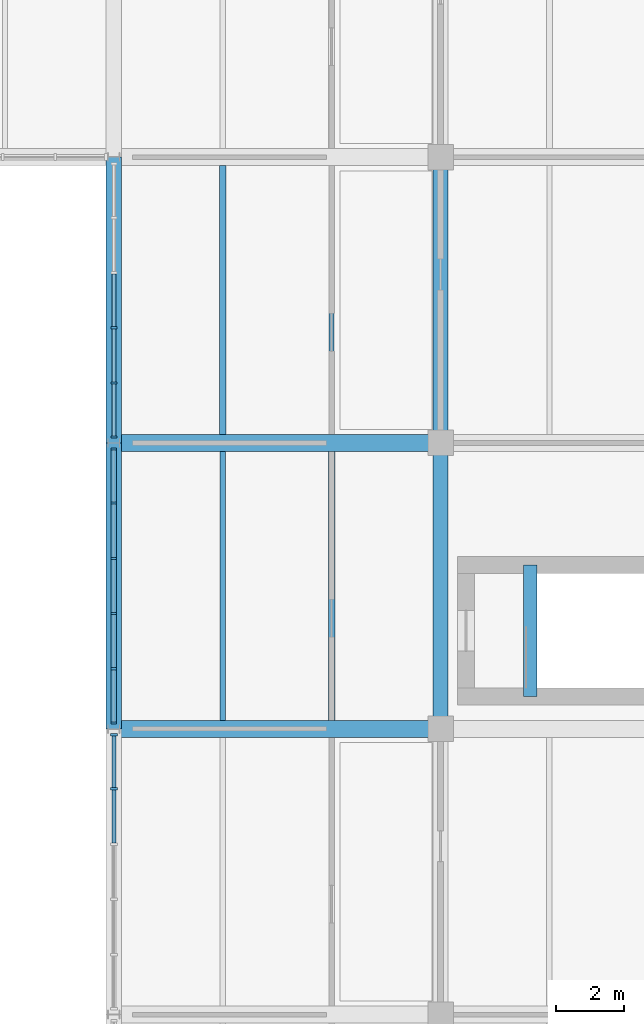
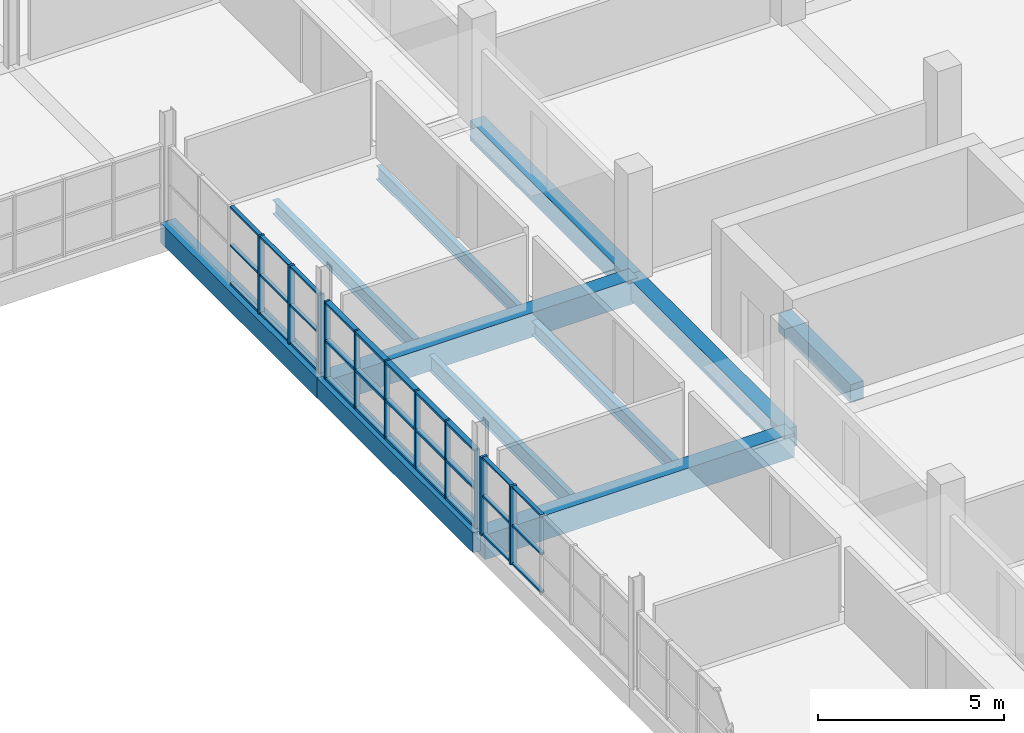
# One storey, part 43 of 147: 41 members, 11 beams, 3 elements without a shape of their own.
"""IFC4 building model written with IfcOpenShell, lengths in metres."""

from ifc_helpers import new_model, si_unit, direction, frame, origin, origin_2d, place, context, subcontext, project, spatial, rectangle, i_section, extrude, material, material_profile, profile_set, type_object, element, aggregate, save


model = new_model("IFC4")

# Units and contexts
model_context = context("Model", 3, precision=1e-05, world=origin(), true_north=direction((0.0, 1.0)))
body_context = subcontext(model_context, "Body", "Model", "MODEL_VIEW")
ifc_project = project(units=[si_unit("LENGTHUNIT", "METRE"), si_unit("AREAUNIT", "SQUARE_METRE"), si_unit("VOLUMEUNIT", "CUBIC_METRE"), si_unit("PLANEANGLEUNIT", "RADIAN"), si_unit("MASSUNIT", "GRAM", prefix="KILO")], contexts=[model_context])

# Site, building, storey
site_placement = place(None, origin())
site = spatial("IfcSite", under=ifc_project, at=site_placement, CompositionType="ELEMENT")
building_placement = place(site_placement, origin())
building = spatial("IfcBuilding", under=site, at=building_placement, Name="Oolite Switchyard Hospital", CompositionType="ELEMENT")
storey_placement = place(building_placement, frame((0.0, 0.0, 9.89990234375)))
storey = spatial("IfcBuildingStorey", under=building, at=storey_placement, Name="L02", CompositionType="ELEMENT", Elevation=9.89990234375)

# Beams
ifc_material_1 = material(Name="Concrete C40/50", Category="concrete")
ifc_material_profile_1 = material_profile(ifc_material_1, rectangle(XDim=0.39990234375, YDim=0.60009765625, at=origin_2d()), Name="RCB400X600")
ifc_profile_set_1 = profile_set([ifc_material_profile_1], Name="Concrete C40/50")
beam_type_1 = type_object("IfcBeamType", Name="BM-RC400X600", PredefinedType="BEAM", material=ifc_profile_set_1)
beam_1_placement = place(storey_placement, frame((127.43994140625, 68.14990234375, -0.2998046875), z_axis=(0.0, 1.0, 0.0), x_axis=(-1.0, 0.0, 0.0)))
element("IfcBeam", 1, at=beam_1_placement, inside=storey, type_object=beam_type_1, Name="L02 ST-10 Stair Throat Trimmer Beam", PredefinedType="BEAM", context=body_context, shape_type="SweptSolid", body=[
    extrude(rectangle(XDim=0.39990234375, YDim=0.60009765625, at=origin_2d()), origin(), (0.0, 0.0, 1.0), 3.860107421875),
])
ifc_material_profile_2 = material_profile(ifc_material_1, rectangle(XDim=0.449951171875, YDim=0.64990234375, at=origin_2d()), Name="RCB450X650")
ifc_profile_set_2 = profile_set([ifc_material_profile_2], Name="Concrete C40/50")
beam_type_2 = type_object("IfcBeamType", Name="BM-RC450X650", PredefinedType="BEAM", material=ifc_profile_set_2)
beam_2_placement = place(storey_placement, frame((115.199951171875, 67.199951171875, -0.324951171875), z_axis=(0.0, 1.0, 0.0), x_axis=(-1.0, 0.0, 0.0)))
element("IfcBeam", 2, at=beam_2_placement, inside=storey, type_object=beam_type_2, Name="L02 Y-Girder 1386", PredefinedType="BEAM", context=body_context, shape_type="SweptSolid", body=[
    extrude(rectangle(XDim=0.449951171875, YDim=0.64990234375, at=origin_2d()), origin(), (0.0, 0.0, 1.0), 8.400146484375),
])
beam_3_placement = place(storey_placement, frame((115.199951171875, 75.60009765625, -0.324951171875), z_axis=(0.0, 1.0, 0.0), x_axis=(-1.0, 0.0, 0.0)))
element("IfcBeam", 3, at=beam_3_placement, inside=storey, type_object=beam_type_2, Name="L02 Y-Girder 1387", PredefinedType="BEAM", context=body_context, shape_type="SweptSolid", body=[
    extrude(rectangle(XDim=0.449951171875, YDim=0.64990234375, at=origin_2d()), origin(), (0.0, 0.0, 1.0), 8.39990234375),
])
beam_4_placement = place(storey_placement, frame((124.800048828125, 67.199951171875, -0.324951171875), z_axis=(0.0, 1.0, 0.0), x_axis=(-1.0, 0.0, 0.0)))
element("IfcBeam", 4, at=beam_4_placement, inside=storey, type_object=beam_type_2, Name="L02 Y-Girder 1395", PredefinedType="BEAM", context=body_context, shape_type="SweptSolid", body=[
    extrude(rectangle(XDim=0.449951171875, YDim=0.64990234375, at=origin_2d()), origin(), (0.0, 0.0, 1.0), 8.400146484375),
])
beam_5_placement = place(storey_placement, frame((124.800048828125, 75.60009765625, -0.324951171875), z_axis=(0.0, 1.0, 0.0), x_axis=(-1.0, 0.0, 0.0)))
element("IfcBeam", 5, at=beam_5_placement, inside=storey, type_object=beam_type_2, Name="L02 Y-Girder 1396", PredefinedType="BEAM", context=body_context, shape_type="SweptSolid", body=[
    extrude(rectangle(XDim=0.449951171875, YDim=0.64990234375, at=origin_2d()), origin(), (0.0, 0.0, 1.0), 8.39990234375),
])
ifc_material_profile_3 = material_profile(ifc_material_1, rectangle(XDim=0.5, YDim=0.800048828125, at=origin_2d()), Name="RCB500X800")
ifc_profile_set_3 = profile_set([ifc_material_profile_3], Name="Concrete C40/50")
beam_type_3 = type_object("IfcBeamType", Name="BM-RC500X800", PredefinedType="BEAM", material=ifc_profile_set_3)
for number, where, z_axis, x_axis, name in (
    (6, (115.199951171875, 67.199951171875, -0.39990234375), (1.0, 0.0, 0.0), (0.0, 1.0, 0.0), "L02 X-Girder 1100"),
    (7, (115.199951171875, 75.60009765625, -0.39990234375), (1.0, 0.0, 0.0), (0.0, 1.0, 0.0), "L02 X-Girder 1116"),
):
    element("IfcBeam", number, at=place(storey_placement, frame(where, z_axis=z_axis, x_axis=x_axis)), inside=storey, type_object=beam_type_3, Name=name, PredefinedType="BEAM", context=body_context, shape_type="SweptSolid", body=[
        extrude(rectangle(XDim=0.5, YDim=0.800048828125, at=origin_2d()), origin(), (0.0, 0.0, 1.0), 9.60009765625),
    ])
ifc_material_2 = material(Name="Steel ASTM A992 Grade 50", Category="steel")
ifc_material_profile_4 = material_profile(ifc_material_2, i_section(OverallWidth=0.153076171875, OverallDepth=0.455078125, WebThickness=0.008056640625, FlangeThickness=0.012939453125, at=origin_2d()), Name="W18X40")
ifc_profile_set_4 = profile_set([ifc_material_profile_4], Name="Steel ASTM A992 Grade 50")
beam_type_4 = type_object("IfcBeamType", Name="BM-W18X40", PredefinedType="JOIST", material=ifc_profile_set_4)
beam_6_placement = place(storey_placement, frame((121.60009765625, 75.85009765625, -0.48681640625), z_axis=(0.0, 1.0, 0.0), x_axis=(-1.0, 0.0, 0.0)))
element("IfcBeam", 8, at=beam_6_placement, inside=storey, type_object=beam_type_4, Name="L02 Secondary Steel Joist 1743", PredefinedType="JOIST", context=body_context, shape_type="SweptSolid", body=[
    extrude(i_section(OverallWidth=0.153076171875, OverallDepth=0.455078125, WebThickness=0.008056640625, FlangeThickness=0.012939453125, at=origin_2d()), origin(), (0.0, 0.0, 1.0), 7.89990234375),
])
ifc_material_profile_5 = material_profile(ifc_material_2, i_section(OverallWidth=0.19091796875, OverallDepth=0.4599609375, WebThickness=0.010009765625, FlangeThickness=0.01611328125, at=origin_2d()), Name="W18X55")
ifc_profile_set_5 = profile_set([ifc_material_profile_5], Name="Steel ASTM A992 Grade 50")
beam_type_5 = type_object("IfcBeamType", Name="BM-W18X55", PredefinedType="JOIST", material=ifc_profile_set_5)
beam_7_placement = place(storey_placement, frame((121.60009765625, 67.449951171875, -0.489990234375), z_axis=(0.0, 1.0, 0.0), x_axis=(-1.0, 0.0, 0.0)))
element("IfcBeam", 9, at=beam_7_placement, inside=storey, type_object=beam_type_5, Name="L02 Secondary Steel Joist 1741", PredefinedType="JOIST", context=body_context, shape_type="SweptSolid", body=[
    extrude(i_section(OverallWidth=0.19091796875, OverallDepth=0.4599609375, WebThickness=0.010009765625, FlangeThickness=0.01611328125, at=origin_2d()), origin(), (0.0, 0.0, 1.0), 7.900146484375),
])
beam_8_placement = place(storey_placement, frame((118.39990234375, 75.85009765625, -0.489990234375), z_axis=(0.0, 1.0, 0.0), x_axis=(-1.0, 0.0, 0.0)))
element("IfcBeam", 10, at=beam_8_placement, inside=storey, type_object=beam_type_5, Name="L02 Secondary Steel Joist 1742", PredefinedType="JOIST", context=body_context, shape_type="SweptSolid", body=[
    extrude(i_section(OverallWidth=0.19091796875, OverallDepth=0.4599609375, WebThickness=0.010009765625, FlangeThickness=0.01611328125, at=origin_2d()), origin(), (0.0, 0.0, 1.0), 7.89990234375),
])
ifc_material_profile_6 = material_profile(ifc_material_2, i_section(OverallWidth=0.166015625, OverallDepth=0.529052734375, WebThickness=0.010009765625, FlangeThickness=0.013916015625, at=origin_2d()), Name="W21X50")
ifc_profile_set_6 = profile_set([ifc_material_profile_6], Name="Steel ASTM A992 Grade 50")
beam_type_6 = type_object("IfcBeamType", Name="BM-W21X50", PredefinedType="JOIST", material=ifc_profile_set_6)
beam_9_placement = place(storey_placement, frame((118.39990234375, 67.449951171875, -0.52392578125), z_axis=(0.0, 1.0, 0.0), x_axis=(-1.0, 0.0, 0.0)))
element("IfcBeam", 11, at=beam_9_placement, inside=storey, type_object=beam_type_6, Name="L02 Secondary Steel Joist 1740", PredefinedType="JOIST", context=body_context, shape_type="SweptSolid", body=[
    extrude(i_section(OverallWidth=0.166015625, OverallDepth=0.529052734375, WebThickness=0.010009765625, FlangeThickness=0.013916015625, at=origin_2d()), origin(), (0.0, 0.0, 1.0), 7.900146484375),
])

# Curtain wall, members
ifc_material_3 = material(Name="Thermally broken aluminum frame with laminated impact glazing", Category="aluminium")
curtain_wall_type = type_object("IfcCurtainWallType", Name="CW-UNIT-84X36", PredefinedType="USERDEFINED", material=ifc_material_3)
curtain_wall_1_placement = place(storey_placement, origin())
curtain_wall_1 = element("IfcCurtainWall", 12, at=curtain_wall_1_placement, inside=storey, type_object=curtain_wall_type, Name="L02 Unitised Curtain Wall 295", ObjectType="UNITISED", PredefinedType="USERDEFINED")
ifc_material_4 = material(Name="Aluminium 6063-T6", Category="aluminium")
ifc_material_profile_7 = material_profile(ifc_material_4, rectangle(XDim=0.159912109375, YDim=0.06005859375, at=origin_2d()), Name="CWM60X160")
ifc_profile_set_7 = profile_set([ifc_material_profile_7], Name="Aluminium 6063-T6")
member_type_1 = type_object("IfcMemberType", Name="CW-MUL-180", PredefinedType="MULLION", material=ifc_profile_set_7)
member_1_placement = place(storey_placement, frame((115.199951171875, 67.3720703125, 0.0), z_axis=(0.0, 0.0, 1.0), x_axis=(-1.0, 0.0, 0.0)))
member_1 = element("IfcMember", 13, at=member_1_placement, type_object=member_type_1, Name="CW-08 mullion 1", PredefinedType="MULLION", context=body_context, shape_type="SweptSolid", body=[
    extrude(rectangle(XDim=0.159912109375, YDim=0.06005859375, at=origin_2d()), origin(), (0.0, 0.0, 1.0), 2.570068359375),
])
member_2_placement = place(storey_placement, frame((115.199951171875, 68.965087890625, 0.0), z_axis=(0.0, 0.0, 1.0), x_axis=(-1.0, 0.0, 0.0)))
member_2 = element("IfcMember", 14, at=member_2_placement, type_object=member_type_1, Name="CW-08 mullion 2", PredefinedType="MULLION", context=body_context, shape_type="SweptSolid", body=[
    extrude(rectangle(XDim=0.159912109375, YDim=0.06005859375, at=origin_2d()), origin(), (0.0, 0.0, 1.0), 2.570068359375),
])
member_3_placement = place(storey_placement, frame((115.199951171875, 70.58837890625, 0.0), z_axis=(0.0, 0.0, 1.0), x_axis=(-1.0, 0.0, 0.0)))
member_3 = element("IfcMember", 15, at=member_3_placement, type_object=member_type_1, Name="CW-08 mullion 3", PredefinedType="MULLION", context=body_context, shape_type="SweptSolid", body=[
    extrude(rectangle(XDim=0.159912109375, YDim=0.06005859375, at=origin_2d()), origin(), (0.0, 0.0, 1.0), 2.570068359375),
])
member_4_placement = place(storey_placement, frame((115.199951171875, 72.211669921875, 0.0), z_axis=(0.0, 0.0, 1.0), x_axis=(-1.0, 0.0, 0.0)))
member_4 = element("IfcMember", 16, at=member_4_placement, type_object=member_type_1, Name="CW-08 mullion 4", PredefinedType="MULLION", context=body_context, shape_type="SweptSolid", body=[
    extrude(rectangle(XDim=0.159912109375, YDim=0.06005859375, at=origin_2d()), origin(), (0.0, 0.0, 1.0), 2.570068359375),
])
member_5_placement = place(storey_placement, frame((115.199951171875, 73.834716796875, 0.0), z_axis=(0.0, 0.0, 1.0), x_axis=(-1.0, 0.0, 0.0)))
member_5 = element("IfcMember", 17, at=member_5_placement, type_object=member_type_1, Name="CW-08 mullion 5", PredefinedType="MULLION", context=body_context, shape_type="SweptSolid", body=[
    extrude(rectangle(XDim=0.159912109375, YDim=0.06005859375, at=origin_2d()), origin(), (0.0, 0.0, 1.0), 2.570068359375),
])
member_6_placement = place(storey_placement, frame((115.199951171875, 75.427978515625, 0.0), z_axis=(0.0, 0.0, 1.0), x_axis=(-1.0, 0.0, 0.0)))
member_6 = element("IfcMember", 18, at=member_6_placement, type_object=member_type_1, Name="CW-08 mullion 6", PredefinedType="MULLION", context=body_context, shape_type="SweptSolid", body=[
    extrude(rectangle(XDim=0.159912109375, YDim=0.06005859375, at=origin_2d()), origin(), (0.0, 0.0, 1.0), 2.570068359375),
])

curtain_wall_2_placement = place(storey_placement, origin())
curtain_wall_2 = element("IfcCurtainWall", 19, at=curtain_wall_2_placement, inside=storey, type_object=curtain_wall_type, Name="L02 Unitised Curtain Wall 296", ObjectType="UNITISED", PredefinedType="USERDEFINED")
ifc_material_profile_8 = material_profile(ifc_material_4, rectangle(XDim=0.179931640625, YDim=0.070068359375, at=origin_2d()), Name="CWM70X180")
ifc_profile_set_8 = profile_set([ifc_material_profile_8], Name="Aluminium 6063-T6")
member_type_2 = type_object("IfcMemberType", Name="CW-MUL-220", PredefinedType="MULLION", material=ifc_profile_set_8)
member_7_placement = place(storey_placement, frame((115.199951171875, 75.777099609375, 0.0), z_axis=(0.0, 0.0, 1.0), x_axis=(-1.0, 0.0, 0.0)))
member_7 = element("IfcMember", 20, at=member_7_placement, type_object=member_type_2, Name="CW-08 mullion 1", PredefinedType="MULLION", context=body_context, shape_type="SweptSolid", body=[
    extrude(rectangle(XDim=0.179931640625, YDim=0.070068359375, at=origin_2d()), origin(), (0.0, 0.0, 1.0), 2.570068359375),
])
member_8_placement = place(storey_placement, frame((115.199951171875, 77.361572265625, 0.0), z_axis=(0.0, 0.0, 1.0), x_axis=(-1.0, 0.0, 0.0)))
member_8 = element("IfcMember", 21, at=member_8_placement, type_object=member_type_2, Name="CW-08 mullion 2", PredefinedType="MULLION", context=body_context, shape_type="SweptSolid", body=[
    extrude(rectangle(XDim=0.179931640625, YDim=0.070068359375, at=origin_2d()), origin(), (0.0, 0.0, 1.0), 2.570068359375),
])
member_9_placement = place(storey_placement, frame((115.199951171875, 78.981201171875, 0.0), z_axis=(0.0, 0.0, 1.0), x_axis=(-1.0, 0.0, 0.0)))
member_9 = element("IfcMember", 22, at=member_9_placement, type_object=member_type_2, Name="CW-08 mullion 3", PredefinedType="MULLION", context=body_context, shape_type="SweptSolid", body=[
    extrude(rectangle(XDim=0.179931640625, YDim=0.070068359375, at=origin_2d()), origin(), (0.0, 0.0, 1.0), 2.570068359375),
])

curtain_wall_3_placement = place(storey_placement, origin())
curtain_wall_3 = element("IfcCurtainWall", 23, at=curtain_wall_3_placement, inside=storey, type_object=curtain_wall_type, Name="L02 Unitised Curtain Wall 294", ObjectType="UNITISED", PredefinedType="USERDEFINED")
ifc_material_profile_9 = material_profile(ifc_material_4, rectangle(XDim=0.199951171875, YDim=0.074951171875, at=origin_2d()), Name="CWM75X200")
ifc_profile_set_9 = profile_set([ifc_material_profile_9], Name="Aluminium 6063-T6")
member_type_3 = type_object("IfcMemberType", Name="CW-MUL-260", PredefinedType="MULLION", material=ifc_profile_set_9)
member_10_placement = place(storey_placement, frame((115.199951171875, 65.434814453125, 0.0), z_axis=(0.0, 0.0, 1.0), x_axis=(-1.0, 0.0, 0.0)))
member_10 = element("IfcMember", 24, at=member_10_placement, type_object=member_type_3, Name="CW-08 mullion 5", PredefinedType="MULLION", context=body_context, shape_type="SweptSolid", body=[
    extrude(rectangle(XDim=0.199951171875, YDim=0.074951171875, at=origin_2d()), origin(), (0.0, 0.0, 1.0), 2.570068359375),
])
member_11_placement = place(storey_placement, frame((115.199951171875, 67.0205078125, 0.0), z_axis=(0.0, 0.0, 1.0), x_axis=(-1.0, 0.0, 0.0)))
member_11 = element("IfcMember", 25, at=member_11_placement, type_object=member_type_3, Name="CW-08 mullion 6", PredefinedType="MULLION", context=body_context, shape_type="SweptSolid", body=[
    extrude(rectangle(XDim=0.199951171875, YDim=0.074951171875, at=origin_2d()), origin(), (0.0, 0.0, 1.0), 2.570068359375),
])
ifc_material_profile_10 = material_profile(ifc_material_4, rectangle(XDim=0.1201171875, YDim=0.06005859375, at=origin_2d()), Name="CWT60X120")
ifc_profile_set_10 = profile_set([ifc_material_profile_10], Name="Aluminium 6063-T6")
member_type_4 = type_object("IfcMemberType", Name="CW-TRN-150", PredefinedType="USERDEFINED", material=ifc_profile_set_10)
member_12_placement = place(storey_placement, frame((115.199951171875, 63.84912109375, 0.030029296875), z_axis=(0.0, 1.0, 0.0), x_axis=(-1.0, 0.0, 0.0)))
member_12 = element("IfcMember", 26, at=member_12_placement, type_object=member_type_4, Name="CW-08 transom 4.1", ObjectType="TRANSOM", PredefinedType="USERDEFINED", context=body_context, shape_type="SweptSolid", body=[
    extrude(rectangle(XDim=0.1201171875, YDim=0.06005859375, at=origin_2d()), origin(), (0.0, 0.0, 1.0), 1.548095703125),
])
member_13_placement = place(storey_placement, frame((115.199951171875, 63.84912109375, 1.28515625), z_axis=(0.0, 1.0, 0.0), x_axis=(-1.0, 0.0, 0.0)))
member_13 = element("IfcMember", 27, at=member_13_placement, type_object=member_type_4, Name="CW-08 transom 4.2", ObjectType="TRANSOM", PredefinedType="USERDEFINED", context=body_context, shape_type="SweptSolid", body=[
    extrude(rectangle(XDim=0.1201171875, YDim=0.06005859375, at=origin_2d()), origin(), (0.0, 0.0, 1.0), 1.548095703125),
])
member_14_placement = place(storey_placement, frame((115.199951171875, 63.84912109375, 2.5400390625), z_axis=(0.0, 1.0, 0.0), x_axis=(-1.0, 0.0, 0.0)))
member_14 = element("IfcMember", 28, at=member_14_placement, type_object=member_type_4, Name="CW-08 transom 4.3", ObjectType="TRANSOM", PredefinedType="USERDEFINED", context=body_context, shape_type="SweptSolid", body=[
    extrude(rectangle(XDim=0.1201171875, YDim=0.06005859375, at=origin_2d()), origin(), (0.0, 0.0, 1.0), 1.548095703125),
])
member_15_placement = place(storey_placement, frame((115.199951171875, 65.472412109375, 0.030029296875), z_axis=(0.0, 1.0, 0.0), x_axis=(-1.0, 0.0, 0.0)))
member_15 = element("IfcMember", 29, at=member_15_placement, type_object=member_type_4, Name="CW-08 transom 5.1", ObjectType="TRANSOM", PredefinedType="USERDEFINED", context=body_context, shape_type="SweptSolid", body=[
    extrude(rectangle(XDim=0.1201171875, YDim=0.06005859375, at=origin_2d()), origin(), (0.0, 0.0, 1.0), 1.510498046875),
])
member_16_placement = place(storey_placement, frame((115.199951171875, 65.472412109375, 1.28515625), z_axis=(0.0, 1.0, 0.0), x_axis=(-1.0, 0.0, 0.0)))
member_16 = element("IfcMember", 30, at=member_16_placement, type_object=member_type_4, Name="CW-08 transom 5.2", ObjectType="TRANSOM", PredefinedType="USERDEFINED", context=body_context, shape_type="SweptSolid", body=[
    extrude(rectangle(XDim=0.1201171875, YDim=0.06005859375, at=origin_2d()), origin(), (0.0, 0.0, 1.0), 1.510498046875),
])
member_17_placement = place(storey_placement, frame((115.199951171875, 65.472412109375, 2.5400390625), z_axis=(0.0, 1.0, 0.0), x_axis=(-1.0, 0.0, 0.0)))
member_17 = element("IfcMember", 31, at=member_17_placement, type_object=member_type_4, Name="CW-08 transom 5.3", ObjectType="TRANSOM", PredefinedType="USERDEFINED", context=body_context, shape_type="SweptSolid", body=[
    extrude(rectangle(XDim=0.1201171875, YDim=0.06005859375, at=origin_2d()), origin(), (0.0, 0.0, 1.0), 1.510498046875),
])
aggregate(curtain_wall_3, [member_10, member_11, member_12, member_13, member_14, member_15, member_16, member_17])

# Member
member_18_placement = place(storey_placement, frame((115.199951171875, 75.81201171875, 0.030029296875), z_axis=(0.0, 1.0, 0.0), x_axis=(-1.0, 0.0, 0.0)))
member_18 = element("IfcMember", 32, at=member_18_placement, type_object=member_type_4, Name="CW-08 transom 1.1", ObjectType="TRANSOM", PredefinedType="USERDEFINED", context=body_context, shape_type="SweptSolid", body=[
    extrude(rectangle(XDim=0.1201171875, YDim=0.06005859375, at=origin_2d()), origin(), (0.0, 0.0, 1.0), 1.5146484375),
])

member_19_placement = place(storey_placement, frame((115.199951171875, 75.81201171875, 1.28515625), z_axis=(0.0, 1.0, 0.0), x_axis=(-1.0, 0.0, 0.0)))
member_19 = element("IfcMember", 33, at=member_19_placement, type_object=member_type_4, Name="CW-08 transom 1.2", ObjectType="TRANSOM", PredefinedType="USERDEFINED", context=body_context, shape_type="SweptSolid", body=[
    extrude(rectangle(XDim=0.1201171875, YDim=0.06005859375, at=origin_2d()), origin(), (0.0, 0.0, 1.0), 1.5146484375),
])

member_20_placement = place(storey_placement, frame((115.199951171875, 75.81201171875, 2.5400390625), z_axis=(0.0, 1.0, 0.0), x_axis=(-1.0, 0.0, 0.0)))
member_20 = element("IfcMember", 34, at=member_20_placement, type_object=member_type_4, Name="CW-08 transom 1.3", ObjectType="TRANSOM", PredefinedType="USERDEFINED", context=body_context, shape_type="SweptSolid", body=[
    extrude(rectangle(XDim=0.1201171875, YDim=0.06005859375, at=origin_2d()), origin(), (0.0, 0.0, 1.0), 1.5146484375),
])

member_21_placement = place(storey_placement, frame((115.199951171875, 77.396484375, 0.030029296875), z_axis=(0.0, 1.0, 0.0), x_axis=(-1.0, 0.0, 0.0)))
member_21 = element("IfcMember", 35, at=member_21_placement, type_object=member_type_4, Name="CW-08 transom 2.1", ObjectType="TRANSOM", PredefinedType="USERDEFINED", context=body_context, shape_type="SweptSolid", body=[
    extrude(rectangle(XDim=0.1201171875, YDim=0.06005859375, at=origin_2d()), origin(), (0.0, 0.0, 1.0), 1.5498046875),
])

member_22_placement = place(storey_placement, frame((115.199951171875, 77.396484375, 1.28515625), z_axis=(0.0, 1.0, 0.0), x_axis=(-1.0, 0.0, 0.0)))
member_22 = element("IfcMember", 36, at=member_22_placement, type_object=member_type_4, Name="CW-08 transom 2.2", ObjectType="TRANSOM", PredefinedType="USERDEFINED", context=body_context, shape_type="SweptSolid", body=[
    extrude(rectangle(XDim=0.1201171875, YDim=0.06005859375, at=origin_2d()), origin(), (0.0, 0.0, 1.0), 1.5498046875),
])

member_23_placement = place(storey_placement, frame((115.199951171875, 77.396484375, 2.5400390625), z_axis=(0.0, 1.0, 0.0), x_axis=(-1.0, 0.0, 0.0)))
member_23 = element("IfcMember", 37, at=member_23_placement, type_object=member_type_4, Name="CW-08 transom 2.3", ObjectType="TRANSOM", PredefinedType="USERDEFINED", context=body_context, shape_type="SweptSolid", body=[
    extrude(rectangle(XDim=0.1201171875, YDim=0.06005859375, at=origin_2d()), origin(), (0.0, 0.0, 1.0), 1.5498046875),
])

member_24_placement = place(storey_placement, frame((115.199951171875, 79.01611328125, 0.030029296875), z_axis=(0.0, 1.0, 0.0), x_axis=(-1.0, 0.0, 0.0)))
member_24 = element("IfcMember", 38, at=member_24_placement, type_object=member_type_4, Name="CW-08 transom 3.1", ObjectType="TRANSOM", PredefinedType="USERDEFINED", context=body_context, shape_type="SweptSolid", body=[
    extrude(rectangle(XDim=0.1201171875, YDim=0.06005859375, at=origin_2d()), origin(), (0.0, 0.0, 1.0), 1.5498046875),
])

member_25_placement = place(storey_placement, frame((115.199951171875, 79.01611328125, 1.28515625), z_axis=(0.0, 1.0, 0.0), x_axis=(-1.0, 0.0, 0.0)))
member_25 = element("IfcMember", 39, at=member_25_placement, type_object=member_type_4, Name="CW-08 transom 3.2", ObjectType="TRANSOM", PredefinedType="USERDEFINED", context=body_context, shape_type="SweptSolid", body=[
    extrude(rectangle(XDim=0.1201171875, YDim=0.06005859375, at=origin_2d()), origin(), (0.0, 0.0, 1.0), 1.5498046875),
])

member_26_placement = place(storey_placement, frame((115.199951171875, 79.01611328125, 2.5400390625), z_axis=(0.0, 1.0, 0.0), x_axis=(-1.0, 0.0, 0.0)))
member_26 = element("IfcMember", 40, at=member_26_placement, type_object=member_type_4, Name="CW-08 transom 3.3", ObjectType="TRANSOM", PredefinedType="USERDEFINED", context=body_context, shape_type="SweptSolid", body=[
    extrude(rectangle(XDim=0.1201171875, YDim=0.06005859375, at=origin_2d()), origin(), (0.0, 0.0, 1.0), 1.5498046875),
])

aggregate(curtain_wall_2, [member_7, member_8, member_9, member_18, member_19, member_20, member_21, member_22, member_23, member_24, member_25, member_26])

ifc_material_profile_11 = material_profile(ifc_material_4, rectangle(XDim=0.159912109375, YDim=0.074951171875, at=origin_2d()), Name="CWT75X160")
ifc_profile_set_11 = profile_set([ifc_material_profile_11], Name="Aluminium 6063-T6")
member_type_5 = type_object("IfcMemberType", Name="CW-TRN-180", PredefinedType="USERDEFINED", material=ifc_profile_set_11)
member_27_placement = place(storey_placement, frame((115.199951171875, 67.402099609375, 0.03759765625), z_axis=(0.0, 1.0, 0.0), x_axis=(-1.0, 0.0, 0.0)))
member_27 = element("IfcMember", 41, at=member_27_placement, type_object=member_type_5, Name="CW-08 transom 1.1", ObjectType="TRANSOM", PredefinedType="USERDEFINED", context=body_context, shape_type="SweptSolid", body=[
    extrude(rectangle(XDim=0.159912109375, YDim=0.074951171875, at=origin_2d()), origin(), (0.0, 0.0, 1.0), 1.533203125),
])

member_28_placement = place(storey_placement, frame((115.199951171875, 67.402099609375, 1.28515625), z_axis=(0.0, 1.0, 0.0), x_axis=(-1.0, 0.0, 0.0)))
member_28 = element("IfcMember", 42, at=member_28_placement, type_object=member_type_5, Name="CW-08 transom 1.2", ObjectType="TRANSOM", PredefinedType="USERDEFINED", context=body_context, shape_type="SweptSolid", body=[
    extrude(rectangle(XDim=0.159912109375, YDim=0.074951171875, at=origin_2d()), origin(), (0.0, 0.0, 1.0), 1.533203125),
])

member_29_placement = place(storey_placement, frame((115.199951171875, 67.402099609375, 2.53271484375), z_axis=(0.0, 1.0, 0.0), x_axis=(-1.0, 0.0, 0.0)))
member_29 = element("IfcMember", 43, at=member_29_placement, type_object=member_type_5, Name="CW-08 transom 1.3", ObjectType="TRANSOM", PredefinedType="USERDEFINED", context=body_context, shape_type="SweptSolid", body=[
    extrude(rectangle(XDim=0.159912109375, YDim=0.074951171875, at=origin_2d()), origin(), (0.0, 0.0, 1.0), 1.533203125),
])

member_30_placement = place(storey_placement, frame((115.199951171875, 68.9951171875, 0.03759765625), z_axis=(0.0, 1.0, 0.0), x_axis=(-1.0, 0.0, 0.0)))
member_30 = element("IfcMember", 44, at=member_30_placement, type_object=member_type_5, Name="CW-08 transom 2.1", ObjectType="TRANSOM", PredefinedType="USERDEFINED", context=body_context, shape_type="SweptSolid", body=[
    extrude(rectangle(XDim=0.159912109375, YDim=0.074951171875, at=origin_2d()), origin(), (0.0, 0.0, 1.0), 1.563232421875),
])

member_31_placement = place(storey_placement, frame((115.199951171875, 68.9951171875, 1.28515625), z_axis=(0.0, 1.0, 0.0), x_axis=(-1.0, 0.0, 0.0)))
member_31 = element("IfcMember", 45, at=member_31_placement, type_object=member_type_5, Name="CW-08 transom 2.2", ObjectType="TRANSOM", PredefinedType="USERDEFINED", context=body_context, shape_type="SweptSolid", body=[
    extrude(rectangle(XDim=0.159912109375, YDim=0.074951171875, at=origin_2d()), origin(), (0.0, 0.0, 1.0), 1.563232421875),
])

member_32_placement = place(storey_placement, frame((115.199951171875, 68.9951171875, 2.53271484375), z_axis=(0.0, 1.0, 0.0), x_axis=(-1.0, 0.0, 0.0)))
member_32 = element("IfcMember", 46, at=member_32_placement, type_object=member_type_5, Name="CW-08 transom 2.3", ObjectType="TRANSOM", PredefinedType="USERDEFINED", context=body_context, shape_type="SweptSolid", body=[
    extrude(rectangle(XDim=0.159912109375, YDim=0.074951171875, at=origin_2d()), origin(), (0.0, 0.0, 1.0), 1.563232421875),
])

member_33_placement = place(storey_placement, frame((115.199951171875, 70.618408203125, 0.03759765625), z_axis=(0.0, 1.0, 0.0), x_axis=(-1.0, 0.0, 0.0)))
member_33 = element("IfcMember", 47, at=member_33_placement, type_object=member_type_5, Name="CW-08 transom 3.1", ObjectType="TRANSOM", PredefinedType="USERDEFINED", context=body_context, shape_type="SweptSolid", body=[
    extrude(rectangle(XDim=0.159912109375, YDim=0.074951171875, at=origin_2d()), origin(), (0.0, 0.0, 1.0), 1.563232421875),
])

member_34_placement = place(storey_placement, frame((115.199951171875, 70.618408203125, 1.28515625), z_axis=(0.0, 1.0, 0.0), x_axis=(-1.0, 0.0, 0.0)))
member_34 = element("IfcMember", 48, at=member_34_placement, type_object=member_type_5, Name="CW-08 transom 3.2", ObjectType="TRANSOM", PredefinedType="USERDEFINED", context=body_context, shape_type="SweptSolid", body=[
    extrude(rectangle(XDim=0.159912109375, YDim=0.074951171875, at=origin_2d()), origin(), (0.0, 0.0, 1.0), 1.563232421875),
])

member_35_placement = place(storey_placement, frame((115.199951171875, 70.618408203125, 2.53271484375), z_axis=(0.0, 1.0, 0.0), x_axis=(-1.0, 0.0, 0.0)))
member_35 = element("IfcMember", 49, at=member_35_placement, type_object=member_type_5, Name="CW-08 transom 3.3", ObjectType="TRANSOM", PredefinedType="USERDEFINED", context=body_context, shape_type="SweptSolid", body=[
    extrude(rectangle(XDim=0.159912109375, YDim=0.074951171875, at=origin_2d()), origin(), (0.0, 0.0, 1.0), 1.563232421875),
])

member_36_placement = place(storey_placement, frame((115.199951171875, 72.24169921875, 0.03759765625), z_axis=(0.0, 1.0, 0.0), x_axis=(-1.0, 0.0, 0.0)))
member_36 = element("IfcMember", 50, at=member_36_placement, type_object=member_type_5, Name="CW-08 transom 4.1", ObjectType="TRANSOM", PredefinedType="USERDEFINED", context=body_context, shape_type="SweptSolid", body=[
    extrude(rectangle(XDim=0.159912109375, YDim=0.074951171875, at=origin_2d()), origin(), (0.0, 0.0, 1.0), 1.56298828125),
])

member_37_placement = place(storey_placement, frame((115.199951171875, 72.24169921875, 1.28515625), z_axis=(0.0, 1.0, 0.0), x_axis=(-1.0, 0.0, 0.0)))
member_37 = element("IfcMember", 51, at=member_37_placement, type_object=member_type_5, Name="CW-08 transom 4.2", ObjectType="TRANSOM", PredefinedType="USERDEFINED", context=body_context, shape_type="SweptSolid", body=[
    extrude(rectangle(XDim=0.159912109375, YDim=0.074951171875, at=origin_2d()), origin(), (0.0, 0.0, 1.0), 1.56298828125),
])

member_38_placement = place(storey_placement, frame((115.199951171875, 72.24169921875, 2.53271484375), z_axis=(0.0, 1.0, 0.0), x_axis=(-1.0, 0.0, 0.0)))
member_38 = element("IfcMember", 52, at=member_38_placement, type_object=member_type_5, Name="CW-08 transom 4.3", ObjectType="TRANSOM", PredefinedType="USERDEFINED", context=body_context, shape_type="SweptSolid", body=[
    extrude(rectangle(XDim=0.159912109375, YDim=0.074951171875, at=origin_2d()), origin(), (0.0, 0.0, 1.0), 1.56298828125),
])

member_39_placement = place(storey_placement, frame((115.199951171875, 73.86474609375, 0.03759765625), z_axis=(0.0, 1.0, 0.0), x_axis=(-1.0, 0.0, 0.0)))
member_39 = element("IfcMember", 53, at=member_39_placement, type_object=member_type_5, Name="CW-08 transom 5.1", ObjectType="TRANSOM", PredefinedType="USERDEFINED", context=body_context, shape_type="SweptSolid", body=[
    extrude(rectangle(XDim=0.159912109375, YDim=0.074951171875, at=origin_2d()), origin(), (0.0, 0.0, 1.0), 1.533203125),
])

member_40_placement = place(storey_placement, frame((115.199951171875, 73.86474609375, 1.28515625), z_axis=(0.0, 1.0, 0.0), x_axis=(-1.0, 0.0, 0.0)))
member_40 = element("IfcMember", 54, at=member_40_placement, type_object=member_type_5, Name="CW-08 transom 5.2", ObjectType="TRANSOM", PredefinedType="USERDEFINED", context=body_context, shape_type="SweptSolid", body=[
    extrude(rectangle(XDim=0.159912109375, YDim=0.074951171875, at=origin_2d()), origin(), (0.0, 0.0, 1.0), 1.533203125),
])

member_41_placement = place(storey_placement, frame((115.199951171875, 73.86474609375, 2.53271484375), z_axis=(0.0, 1.0, 0.0), x_axis=(-1.0, 0.0, 0.0)))
member_41 = element("IfcMember", 55, at=member_41_placement, type_object=member_type_5, Name="CW-08 transom 5.3", ObjectType="TRANSOM", PredefinedType="USERDEFINED", context=body_context, shape_type="SweptSolid", body=[
    extrude(rectangle(XDim=0.159912109375, YDim=0.074951171875, at=origin_2d()), origin(), (0.0, 0.0, 1.0), 1.533203125),
])

aggregate(curtain_wall_1, [member_1, member_2, member_3, member_4, member_5, member_6, member_27, member_28, member_29, member_30, member_31, member_32, member_33, member_34, member_35, member_36, member_37, member_38, member_39, member_40, member_41])

save(model, "model.ifc")
